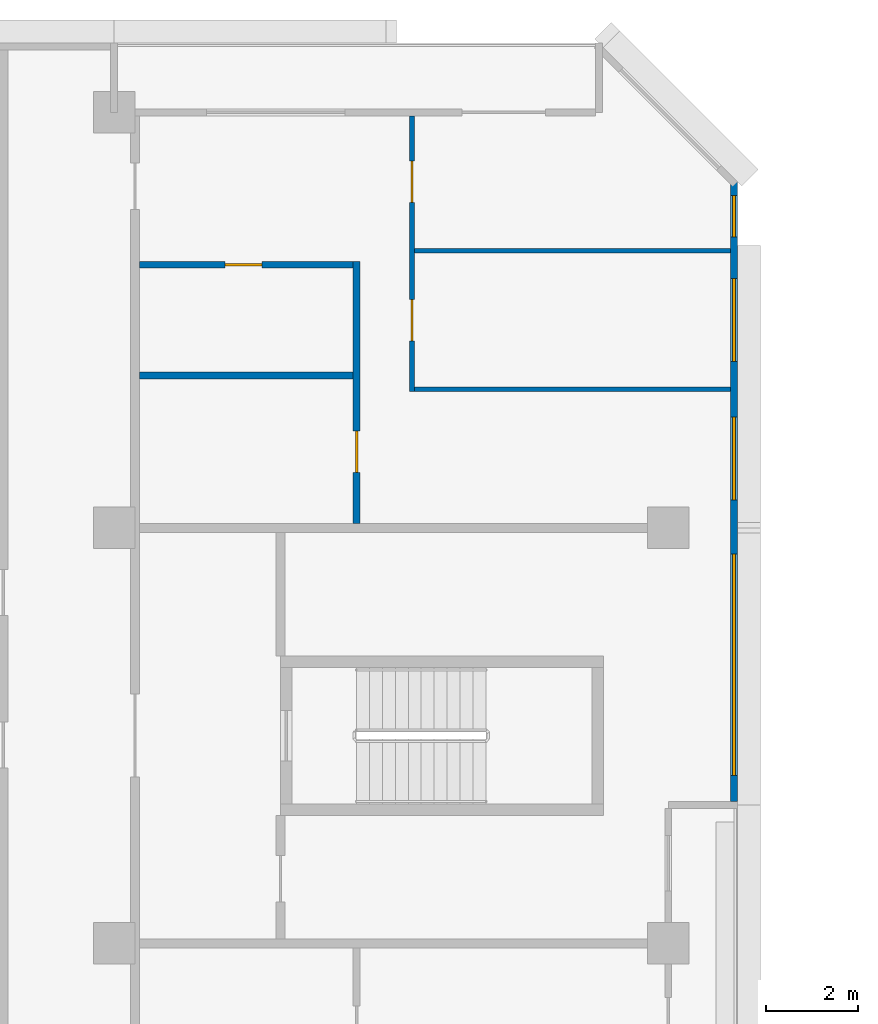
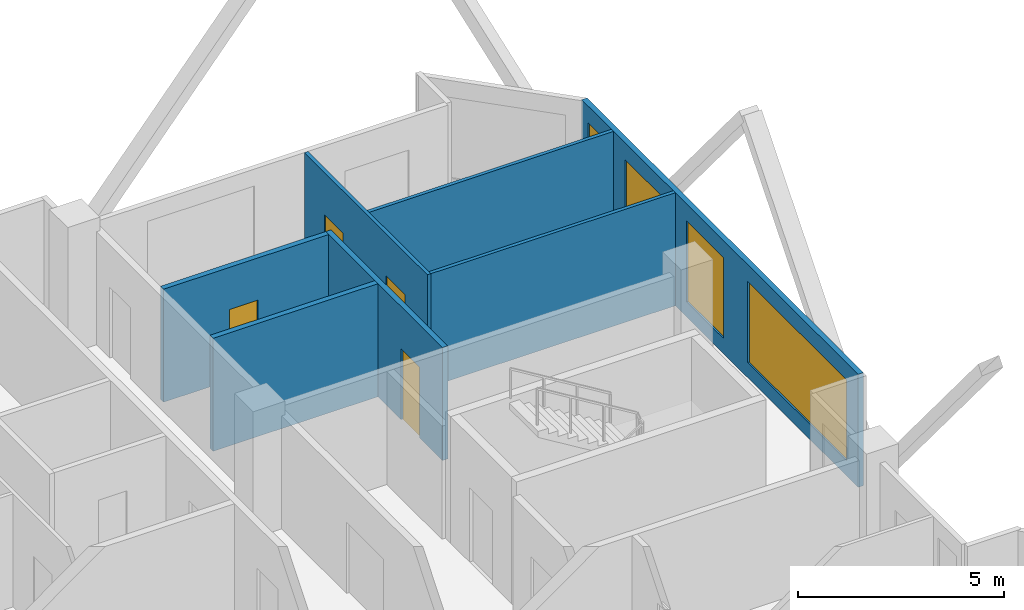
# One storey, part 11 of 14: 7 walls, 4 doors, 4 windows, 8 openings.
"""IFC4 building model written with IfcOpenShell, lengths in metres."""

from ifc_helpers import new_model, si_unit, direction, frame, frame_2d, origin, place, context, subcontext, project, spatial, rectangle, extrude, material, layer, layer_set, type_object, element, fill, save


model = new_model("IFC4")

# Units and contexts
model_context = context("Model", 3, precision=1e-05, world=origin(), true_north=direction((0.0, 1.0)))
body_context = subcontext(model_context, "Body", "Model", "MODEL_VIEW")
ifc_project = project(units=[si_unit("LENGTHUNIT", "METRE"), si_unit("AREAUNIT", "SQUARE_METRE"), si_unit("VOLUMEUNIT", "CUBIC_METRE"), si_unit("PLANEANGLEUNIT", "RADIAN"), si_unit("MASSUNIT", "GRAM", prefix="KILO")], contexts=[model_context])

# Site, building, storey
site_placement = place(None, origin())
site = spatial("IfcSite", under=ifc_project, at=site_placement, CompositionType="ELEMENT")
building_placement = place(site_placement, origin())
building = spatial("IfcBuilding", under=site, at=building_placement, Name="Chenar Terraces", CompositionType="ELEMENT")
storey_placement = place(building_placement, frame((0.0, 0.0, 164.89990234375)))
storey = spatial("IfcBuildingStorey", under=building, at=storey_placement, Name="L37", CompositionType="ELEMENT", Elevation=164.89990234375)

# Wall, openings, windows
ifc_material_1 = material(Name="Aluminium framed glazing", Category="aluminium")
ifc_layer_1 = layer(ifc_material_1, 0.14990234375)
ifc_layer_set_1 = layer_set([ifc_layer_1], Name="Aluminium framed glazing")
wall_type_1 = type_object("IfcWallType", Name="Glazed flush facade wall 150", PredefinedType="SOLIDWALL", material=ifc_layer_set_1)
wall_1_placement = place(storey_placement, frame((25.425048828125, 48.074951171875, 0.0), z_axis=(0.0, 0.0, 1.0), x_axis=(0.0, 1.0, 0.0)))
wall_1 = element("IfcWall", 1, at=wall_1_placement, inside=storey, type_object=wall_type_1, Name="Glazed flush facade wall", PredefinedType="SOLIDWALL", context=body_context, shape_type="SweptSolid", body=[
    extrude(rectangle(XDim=13.425048828125, YDim=0.14990234375, at=frame_2d((6.71240234375, 0.0))), origin(), (0.0, 0.0, 1.0), 3.35009765625),
])
opening_1_placement = place(wall_1_placement, frame((0.5625, 0.0, 0.449951171875)))
opening_1 = element("IfcOpeningElement", 2, at=opening_1_placement, cuts=wall_1, Name="Opening W480x240", PredefinedType="OPENING", context=body_context, shape_type="SweptSolid", body=[
    extrude(rectangle(XDim=4.800048828125, YDim=2.39990234375, at=frame_2d((2.39990234375, 1.199951171875))), frame((0.0, 0.0849609375, 0.0), z_axis=(0.0, -1.0, 0.0), x_axis=(1.0, 0.0, 0.0)), (0.0, 0.0, 1.0), 0.169921875),
])
opening_2_placement = place(wall_1_placement, frame((6.52490234375, 0.0, 0.449951171875)))
opening_2 = element("IfcOpeningElement", 3, at=opening_2_placement, cuts=wall_1, Name="Opening W180x240", PredefinedType="OPENING", context=body_context, shape_type="SweptSolid", body=[
    extrude(rectangle(XDim=1.800048828125, YDim=2.39990234375, at=frame_2d((0.89990234375, 1.199951171875))), frame((0.0, 0.0849609375, 0.0), z_axis=(0.0, -1.0, 0.0), x_axis=(1.0, 0.0, 0.0)), (0.0, 0.0, 1.0), 0.169921875),
])
opening_3_placement = place(wall_1_placement, frame((9.52490234375, 0.0, 0.449951171875)))
opening_3 = element("IfcOpeningElement", 4, at=opening_3_placement, cuts=wall_1, Name="Opening W180x240", PredefinedType="OPENING", context=body_context, shape_type="SweptSolid", body=[
    extrude(rectangle(XDim=1.800048828125, YDim=2.39990234375, at=frame_2d((0.89990234375, 1.199951171875))), frame((0.0, 0.0849609375, 0.0), z_axis=(0.0, -1.0, 0.0), x_axis=(1.0, 0.0, 0.0)), (0.0, 0.0, 1.0), 0.169921875),
])
opening_4_placement = place(wall_1_placement, frame((12.22509765625, 0.0, 0.449951171875)))
opening_4 = element("IfcOpeningElement", 5, at=opening_4_placement, cuts=wall_1, Name="Opening W90x240", PredefinedType="OPENING", context=body_context, shape_type="SweptSolid", body=[
    extrude(rectangle(XDim=0.89990234375, YDim=2.39990234375, at=frame_2d((0.449951171875, 1.199951171875))), frame((0.0, 0.0849609375, 0.0), z_axis=(0.0, -1.0, 0.0), x_axis=(1.0, 0.0, 0.0)), (0.0, 0.0, 1.0), 0.169921875),
])
ifc_material_2 = material(Name="Low emissivity double glazing, aluminium frame", Category="aluminium")
window_type_1 = type_object("IfcWindowType", Name="Fixed light 1800 x 2400", PartitioningType="SINGLE_PANEL", PredefinedType="WINDOW", material=ifc_material_2)
window_1_placement = place(opening_2_placement, origin())
window_1 = element("IfcWindow", 6, at=window_1_placement, inside=storey, type_object=window_type_1, Name="Window", OverallHeight=2.39990234375, OverallWidth=1.800048828125, PartitioningType="SINGLE_PANEL", PredefinedType="WINDOW", context=body_context, shape_type="SweptSolid", body=[
    extrude(rectangle(XDim=1.800048828125, YDim=2.39990234375, at=frame_2d((0.89990234375, 1.199951171875))), frame((0.0, 0.030029296875, 0.0), z_axis=(0.0, -1.0, 0.0), x_axis=(1.0, 0.0, 0.0)), (0.0, 0.0, 1.0), 0.06005859375),
])
fill(opening_2, window_1)
window_2_placement = place(opening_3_placement, origin())
window_2 = element("IfcWindow", 7, at=window_2_placement, inside=storey, type_object=window_type_1, Name="Window", OverallHeight=2.39990234375, OverallWidth=1.800048828125, PartitioningType="SINGLE_PANEL", PredefinedType="WINDOW", context=body_context, shape_type="SweptSolid", body=[
    extrude(rectangle(XDim=1.800048828125, YDim=2.39990234375, at=frame_2d((0.89990234375, 1.199951171875))), frame((0.0, 0.030029296875, 0.0), z_axis=(0.0, -1.0, 0.0), x_axis=(1.0, 0.0, 0.0)), (0.0, 0.0, 1.0), 0.06005859375),
])
fill(opening_3, window_2)
ifc_material_3 = material(Name="Low emissivity double glazing, aluminium frame", Category="aluminium")
window_type_2 = type_object("IfcWindowType", Name="Fixed light 4800 x 2400", PartitioningType="SINGLE_PANEL", PredefinedType="WINDOW", material=ifc_material_3)
window_3_placement = place(opening_1_placement, origin())
window_3 = element("IfcWindow", 8, at=window_3_placement, inside=storey, type_object=window_type_2, Name="Window", OverallHeight=2.39990234375, OverallWidth=4.800048828125, PartitioningType="SINGLE_PANEL", PredefinedType="WINDOW", context=body_context, shape_type="SweptSolid", body=[
    extrude(rectangle(XDim=4.800048828125, YDim=2.39990234375, at=frame_2d((2.39990234375, 1.199951171875))), frame((0.0, 0.030029296875, 0.0), z_axis=(0.0, -1.0, 0.0), x_axis=(1.0, 0.0, 0.0)), (0.0, 0.0, 1.0), 0.06005859375),
])
fill(opening_1, window_3)
ifc_material_4 = material(Name="Low emissivity double glazing, aluminium frame", Category="aluminium")
window_type_3 = type_object("IfcWindowType", Name="Fixed light 900 x 2400", PartitioningType="SINGLE_PANEL", PredefinedType="WINDOW", material=ifc_material_4)
window_4_placement = place(opening_4_placement, origin())
window_4 = element("IfcWindow", 9, at=window_4_placement, inside=storey, type_object=window_type_3, Name="Window", OverallHeight=2.39990234375, OverallWidth=0.89990234375, PartitioningType="SINGLE_PANEL", PredefinedType="WINDOW", context=body_context, shape_type="SweptSolid", body=[
    extrude(rectangle(XDim=0.89990234375, YDim=2.39990234375, at=frame_2d((0.449951171875, 1.199951171875))), frame((0.0, 0.030029296875, 0.0), z_axis=(0.0, -1.0, 0.0), x_axis=(1.0, 0.0, 0.0)), (0.0, 0.0, 1.0), 0.06005859375),
])
fill(opening_4, window_4)

# Wall, openings, doors
ifc_material_5 = material(Name="Gypsum board on steel studs", Category="steel")
ifc_layer_2 = layer(ifc_material_5, 0.10009765625)
ifc_layer_set_2 = layer_set([ifc_layer_2], Name="Gypsum board on steel studs")
wall_type_2 = type_object("IfcWallType", Name="Gypsum partition 100", PredefinedType="PARTITIONING", material=ifc_layer_set_2)
wall_2_placement = place(storey_placement, frame((18.449951171875, 56.949951171875, 0.0), z_axis=(0.0, 0.0, 1.0), x_axis=(0.0, 1.0, 0.0)))
wall_2 = element("IfcWall", 10, at=wall_2_placement, inside=storey, type_object=wall_type_2, Name="Partition L37-048", PredefinedType="PARTITIONING", context=body_context, shape_type="SweptSolid", body=[
    extrude(rectangle(XDim=5.97607421875, YDim=0.10009765625, at=frame_2d((2.988037109375, 0.0))), origin(), (0.0, 0.0, 1.0), 3.35009765625),
])
opening_5_placement = place(wall_2_placement, frame((1.10009765625, 0.0, 0.0)))
opening_5 = element("IfcOpeningElement", 11, at=opening_5_placement, cuts=wall_2, Name="Opening DL37-23", PredefinedType="OPENING", context=body_context, shape_type="SweptSolid", body=[
    extrude(rectangle(XDim=0.89990234375, YDim=2.10009765625, at=frame_2d((0.449951171875, 1.050048828125))), frame((0.0, 0.06005859375, 0.0), z_axis=(0.0, -1.0, 0.0), x_axis=(1.0, 0.0, 0.0)), (0.0, 0.0, 1.0), 0.1201171875),
])
opening_6_placement = place(wall_2_placement, frame((4.10009765625, 0.0, 0.0)))
opening_6 = element("IfcOpeningElement", 12, at=opening_6_placement, cuts=wall_2, Name="Opening DL37-24", PredefinedType="OPENING", context=body_context, shape_type="SweptSolid", body=[
    extrude(rectangle(XDim=0.89990234375, YDim=2.10009765625, at=frame_2d((0.449951171875, 1.050048828125))), frame((0.0, 0.06005859375, 0.0), z_axis=(0.0, -1.0, 0.0), x_axis=(1.0, 0.0, 0.0)), (0.0, 0.0, 1.0), 0.1201171875),
])
ifc_material_6 = material(Name="Veneered timber door leaf", Category="wood")
door_type_1 = type_object("IfcDoorType", Name="Door 900 x 2100", OperationType="SINGLE_SWING_LEFT", PredefinedType="DOOR", material=ifc_material_6)
door_1_placement = place(opening_5_placement, frame((0.89990234375, 0.0, 0.0), z_axis=(0.0, 0.0, 1.0), x_axis=(-1.0, 0.0, 0.0)))
door_1 = element("IfcDoor", 13, at=door_1_placement, inside=storey, type_object=door_type_1, Name="Door DL37-23", OperationType="SINGLE_SWING_RIGHT", OverallHeight=2.10009765625, OverallWidth=0.89990234375, PredefinedType="DOOR", context=body_context, shape_type="SweptSolid", body=[
    extrude(rectangle(XDim=0.89990234375, YDim=2.10009765625, at=frame_2d((0.449951171875, 1.050048828125))), frame((0.0, 0.02490234375, 0.0), z_axis=(0.0, -1.0, 0.0), x_axis=(1.0, 0.0, 0.0)), (0.0, 0.0, 1.0), 0.050048828125),
])
fill(opening_5, door_1)
door_2_placement = place(opening_6_placement, frame((0.89990234375, 0.0, 0.0), z_axis=(0.0, 0.0, 1.0), x_axis=(-1.0, 0.0, 0.0)))
door_2 = element("IfcDoor", 14, at=door_2_placement, inside=storey, type_object=door_type_1, Name="Door DL37-24", OperationType="SINGLE_SWING_RIGHT", OverallHeight=2.10009765625, OverallWidth=0.89990234375, PredefinedType="DOOR", context=body_context, shape_type="SweptSolid", body=[
    extrude(rectangle(XDim=0.89990234375, YDim=2.10009765625, at=frame_2d((0.449951171875, 1.050048828125))), frame((0.0, 0.02490234375, 0.0), z_axis=(0.0, -1.0, 0.0), x_axis=(1.0, 0.0, 0.0)), (0.0, 0.0, 1.0), 0.050048828125),
])
fill(opening_6, door_2)

# Walls
wall_3_placement = place(storey_placement, frame((18.5, 57.0, 0.0), z_axis=(0.0, 0.0, 1.0), x_axis=(1.0, 0.0, 0.0)))
element("IfcWall", 15, at=wall_3_placement, inside=storey, type_object=wall_type_2, Name="Partition L37-051", PredefinedType="PARTITIONING", context=body_context, shape_type="SweptSolid", body=[
    extrude(rectangle(XDim=6.85009765625, YDim=0.10009765625, at=frame_2d((3.425048828125, 0.0))), origin(), (0.0, 0.0, 1.0), 3.35009765625),
])
wall_4_placement = place(storey_placement, frame((18.5, 60.0, 0.0), z_axis=(0.0, 0.0, 1.0), x_axis=(1.0, 0.0, 0.0)))
element("IfcWall", 16, at=wall_4_placement, inside=storey, type_object=wall_type_2, Name="Partition L37-052", PredefinedType="PARTITIONING", context=body_context, shape_type="SweptSolid", body=[
    extrude(rectangle(XDim=6.85107421875, YDim=0.10009765625, at=frame_2d((3.425537109375, 0.0))), origin(), (0.0, 0.0, 1.0), 3.35009765625),
])
ifc_material_7 = material(Name="Moisture-resistant gypsum board on steel studs", Category="steel")
ifc_layer_3 = layer(ifc_material_7, 0.14990234375)
ifc_layer_set_3 = layer_set([ifc_layer_3], Name="Moisture-resistant gypsum board on steel studs")
wall_type_3 = type_object("IfcWallType", Name="Wet-room partition 150", PredefinedType="PARTITIONING", material=ifc_layer_set_3)
wall_5_placement = place(storey_placement, frame((12.550048828125, 57.300048828125, 0.0), z_axis=(0.0, 0.0, 1.0), x_axis=(1.0, 0.0, 0.0)))
element("IfcWall", 17, at=wall_5_placement, inside=storey, type_object=wall_type_3, Name="Partition L37-039", PredefinedType="PARTITIONING", context=body_context, shape_type="SweptSolid", body=[
    extrude(rectangle(XDim=4.625, YDim=0.14990234375, at=frame_2d((2.3125, 0.0))), origin(), (0.0, 0.0, 1.0), 3.35009765625),
])

# Wall, opening, door
wall_6_placement = place(storey_placement, frame((12.550048828125, 59.699951171875, 0.0), z_axis=(0.0, 0.0, 1.0), x_axis=(1.0, 0.0, 0.0)))
wall_6 = element("IfcWall", 18, at=wall_6_placement, inside=storey, type_object=wall_type_3, Name="Partition L37-040", PredefinedType="PARTITIONING", context=body_context, shape_type="SweptSolid", body=[
    extrude(rectangle(XDim=4.625, YDim=0.14990234375, at=frame_2d((2.3125, 0.0))), origin(), (0.0, 0.0, 1.0), 3.35009765625),
])
opening_7_placement = place(wall_6_placement, frame((1.85009765625, 0.0, 0.0)))
opening_7 = element("IfcOpeningElement", 19, at=opening_7_placement, cuts=wall_6, Name="Opening DL37-22", PredefinedType="OPENING", context=body_context, shape_type="SweptSolid", body=[
    extrude(rectangle(XDim=0.800048828125, YDim=2.10009765625, at=frame_2d((0.39990234375, 1.050048828125))), frame((0.0, 0.0849609375, 0.0), z_axis=(0.0, -1.0, 0.0), x_axis=(1.0, 0.0, 0.0)), (0.0, 0.0, 1.0), 0.169921875),
])
ifc_material_8 = material(Name="Veneered timber door leaf", Category="wood")
door_type_2 = type_object("IfcDoorType", Name="Door 800 x 2100", OperationType="SINGLE_SWING_LEFT", PredefinedType="DOOR", material=ifc_material_8)
door_3_placement = place(opening_7_placement, frame((0.800048828125, 0.0, 0.0), z_axis=(0.0, 0.0, 1.0), x_axis=(-1.0, 0.0, 0.0)))
door_3 = element("IfcDoor", 20, at=door_3_placement, inside=storey, type_object=door_type_2, Name="Door DL37-22", OperationType="SINGLE_SWING_LEFT", OverallHeight=2.10009765625, OverallWidth=0.800048828125, PredefinedType="DOOR", context=body_context, shape_type="SweptSolid", body=[
    extrude(rectangle(XDim=0.800048828125, YDim=2.10009765625, at=frame_2d((0.39990234375, 1.050048828125))), frame((0.0, 0.02490234375, 0.0), z_axis=(0.0, -1.0, 0.0), x_axis=(1.0, 0.0, 0.0)), (0.0, 0.0, 1.0), 0.050048828125),
])
fill(opening_7, door_3)

wall_7_placement = place(storey_placement, frame((17.25, 54.10009765625, 0.0), z_axis=(0.0, 0.0, 1.0), x_axis=(0.0, 1.0, 0.0)))
wall_7 = element("IfcWall", 21, at=wall_7_placement, inside=storey, type_object=wall_type_3, Name="Partition L37-045", PredefinedType="PARTITIONING", context=body_context, shape_type="SweptSolid", body=[
    extrude(rectangle(XDim=5.6748046875, YDim=0.14990234375, at=frame_2d((2.83740234375, 0.0))), origin(), (0.0, 0.0, 1.0), 3.35009765625),
])
opening_8_placement = place(wall_7_placement, frame((1.10009765625, 0.0, 0.0)))
opening_8 = element("IfcOpeningElement", 22, at=opening_8_placement, cuts=wall_7, Name="Opening DL37-25", PredefinedType="OPENING", context=body_context, shape_type="SweptSolid", body=[
    extrude(rectangle(XDim=0.89990234375, YDim=2.10009765625, at=frame_2d((0.449951171875, 1.050048828125))), frame((0.0, 0.0849609375, 0.0), z_axis=(0.0, -1.0, 0.0), x_axis=(1.0, 0.0, 0.0)), (0.0, 0.0, 1.0), 0.169921875),
])
door_4_placement = place(opening_8_placement, origin())
door_4 = element("IfcDoor", 23, at=door_4_placement, inside=storey, type_object=door_type_1, Name="Door DL37-25", OperationType="SINGLE_SWING_LEFT", OverallHeight=2.10009765625, OverallWidth=0.89990234375, PredefinedType="DOOR", context=body_context, shape_type="SweptSolid", body=[
    extrude(rectangle(XDim=0.89990234375, YDim=2.10009765625, at=frame_2d((0.449951171875, 1.050048828125))), frame((0.0, 0.02490234375, 0.0), z_axis=(0.0, -1.0, 0.0), x_axis=(1.0, 0.0, 0.0)), (0.0, 0.0, 1.0), 0.050048828125),
])
fill(opening_8, door_4)

save(model, "model.ifc")
